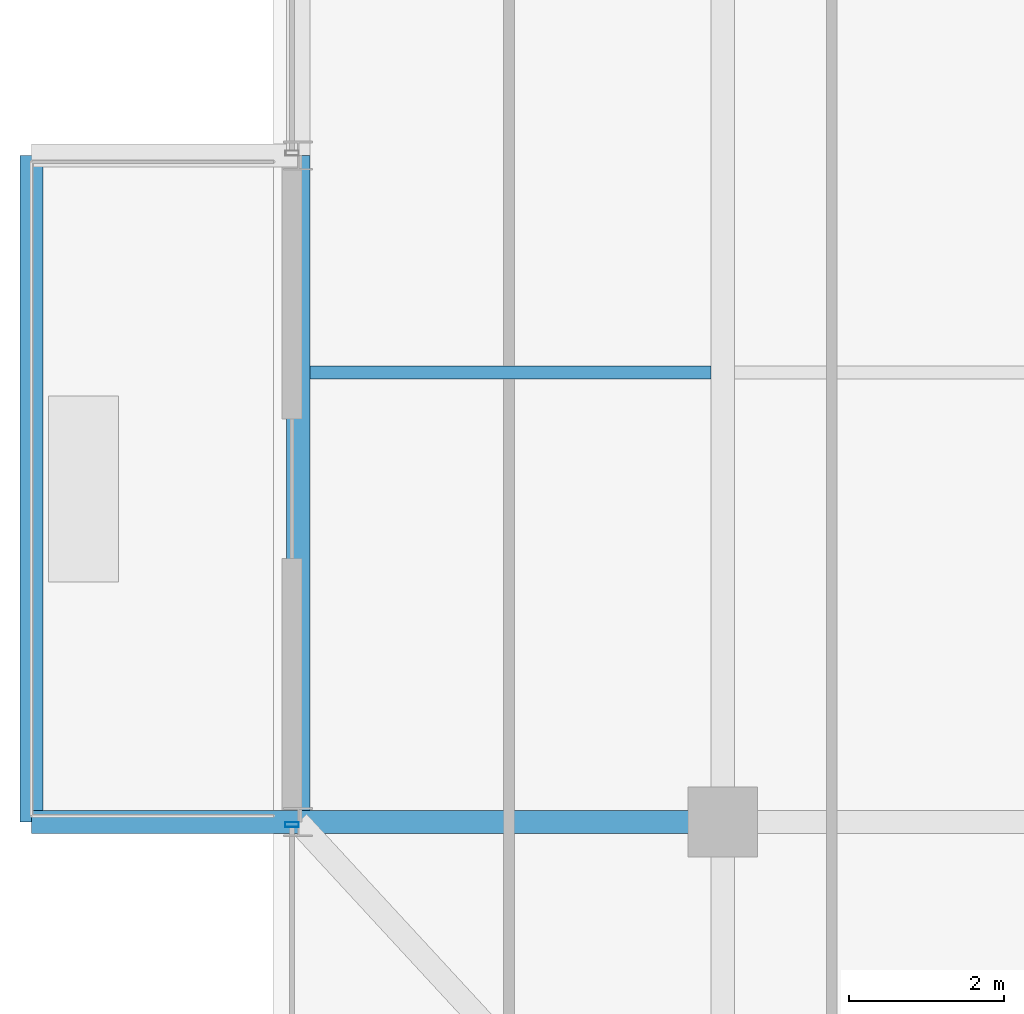
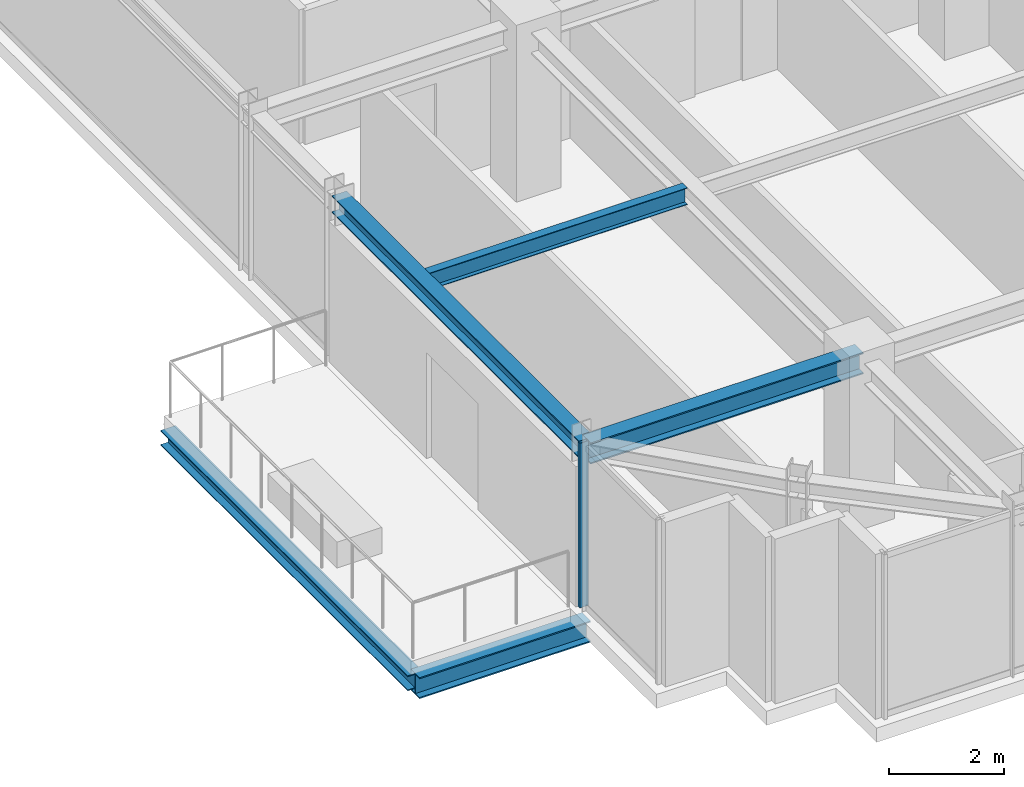
# One storey, part 5 of 31: 5 beams, 1 member, 1 element without a shape of its own.
"""IFC4 building model written with IfcOpenShell, lengths in metres."""

from ifc_helpers import new_model, si_unit, direction, frame, origin, origin_2d, place, context, subcontext, project, spatial, hollow_rectangle, i_section, extrude, source, transform, mapped, material, material_profile, profile_set, type_object, element, aggregate, save


model = new_model("IFC4")

# Units and contexts
model_context = context("Model", 3, precision=1e-05, world=origin(), true_north=direction((0.0, 1.0)))
body_context = subcontext(model_context, "Body", "Model", "MODEL_VIEW")
ifc_project = project(units=[si_unit("LENGTHUNIT", "METRE"), si_unit("AREAUNIT", "SQUARE_METRE"), si_unit("VOLUMEUNIT", "CUBIC_METRE"), si_unit("PLANEANGLEUNIT", "RADIAN"), si_unit("MASSUNIT", "GRAM", prefix="KILO")], contexts=[model_context])

# Site, building, storey
site_placement = place(None, origin())
site = spatial("IfcSite", under=ifc_project, at=site_placement, CompositionType="ELEMENT")
building_placement = place(site_placement, origin())
building = spatial("IfcBuilding", under=site, at=building_placement, Name="Nahalor Promenade Grand Hotel", CompositionType="ELEMENT")
storey_placement = place(building_placement, frame((0.0, 0.0, 323.35009765625)))
storey = spatial("IfcBuildingStorey", under=building, at=storey_placement, Name="L83", CompositionType="ELEMENT", Elevation=323.35009765625)

# Beams
ifc_material_1 = material(Name="Steel S355JR", Category="steel")
ifc_material_profile_1 = material_profile(ifc_material_1, i_section(OverallWidth=0.3, OverallDepth=0.32, WebThickness=0.0115, FlangeThickness=0.0205, at=origin_2d()), Name="HEB 320")
ifc_profile_set_1 = profile_set([ifc_material_profile_1], Name="Steel S355JR")
beam_type_1 = type_object("IfcBeamType", Name="Beam-BalcEdge-HEB320", PredefinedType="SPANDREL", material=ifc_profile_set_1)
shared_shape_1 = source(origin(), body_context, "Body", "SweptSolid", [
    extrude(i_section(OverallWidth=0.3, OverallDepth=0.32, WebThickness=0.0115, FlangeThickness=0.0205, at=origin_2d()), origin(), (0.0, 0.0, 1.0), 8.60009765625),
])
beam_1_placement = place(storey_placement, frame((-25.919921875, -17.0, -0.440185546875), z_axis=(0.0, 1.0, 0.0), x_axis=(-1.0, 0.0, 0.0)))
element("IfcBeam", 1, at=beam_1_placement, inside=storey, type_object=beam_type_1, Name="BM-L83-BC-02-F", PredefinedType="SPANDREL", context=body_context, shape_type="MappedRepresentation", body=[
    mapped(shared_shape_1, transform((0.0, 0.0, 0.0), scale=1.0)),
])
ifc_material_profile_2 = material_profile(ifc_material_1, i_section(OverallWidth=0.3, OverallDepth=0.45, WebThickness=0.014, FlangeThickness=0.026, at=origin_2d()), Name="HEB 450")
ifc_profile_set_2 = profile_set([ifc_material_profile_2], Name="Steel S355JR")
beam_type_2 = type_object("IfcBeamType", Name="Beam-Outrigger-HEB450", PredefinedType="BEAM", material=ifc_profile_set_2)
shared_shape_2 = source(origin(), body_context, "Body", "SweptSolid", [
    extrude(i_section(OverallWidth=0.3, OverallDepth=0.45, WebThickness=0.014, FlangeThickness=0.026, at=origin_2d()), origin(), (0.0, 0.0, 1.0), 3.43994140625),
])
beam_2_placement = place(storey_placement, frame((-25.919921875, -17.0, -0.505126953125), z_axis=(1.0, 0.0, 0.0), x_axis=(0.0, 1.0, 0.0)))
element("IfcBeam", 2, at=beam_2_placement, inside=storey, type_object=beam_type_2, Name="BM-L83-BC-02-1", PredefinedType="BEAM", context=body_context, shape_type="MappedRepresentation", body=[
    mapped(shared_shape_2, transform((0.0, 0.0, 0.0), scale=1.0)),
])
ifc_material_profile_3 = material_profile(ifc_material_1, i_section(OverallWidth=0.3, OverallDepth=0.45, WebThickness=0.014, FlangeThickness=0.026, at=origin_2d()), Name="HEB 450")
ifc_profile_set_3 = profile_set([ifc_material_profile_3], Name="Steel S355JR")
beam_type_3 = type_object("IfcBeamType", Name="Beam-Girder-HEB450", PredefinedType="BEAM", material=ifc_profile_set_3)
shared_shape_3 = source(origin(), body_context, "Body", "SweptSolid", [
    extrude(i_section(OverallWidth=0.3, OverallDepth=0.45, WebThickness=0.014, FlangeThickness=0.026, at=origin_2d()), origin(), (0.0, 0.0, 1.0), 5.47998046875),
])
beam_3_placement = place(storey_placement, frame((-22.47998046875, -17.0, 3.27490234375), z_axis=(1.0, 0.0, 0.0), x_axis=(0.0, 1.0, 0.0)))
element("IfcBeam", 3, at=beam_3_placement, inside=storey, type_object=beam_type_3, Name="BM-L83-GX-0-0", PredefinedType="BEAM", context=body_context, shape_type="MappedRepresentation", body=[
    mapped(shared_shape_3, transform((0.0, 0.0, 0.0), scale=1.0)),
])
ifc_material_profile_4 = material_profile(ifc_material_1, i_section(OverallWidth=0.3, OverallDepth=0.36, WebThickness=0.0125, FlangeThickness=0.0225, at=origin_2d()), Name="HEB 360")
ifc_profile_set_4 = profile_set([ifc_material_profile_4], Name="Steel S355JR")
beam_type_4 = type_object("IfcBeamType", Name="Beam-Spandrel-HEB360", PredefinedType="SPANDREL", material=ifc_profile_set_4)
shared_shape_4 = source(origin(), body_context, "Body", "SweptSolid", [
    extrude(i_section(OverallWidth=0.3, OverallDepth=0.36, WebThickness=0.0125, FlangeThickness=0.0225, at=origin_2d()), origin(), (0.0, 0.0, 1.0), 8.60009765625),
])
beam_4_placement = place(storey_placement, frame((-22.47998046875, -17.0, 3.31982421875), z_axis=(0.0, 1.0, 0.0), x_axis=(-1.0, 0.0, 0.0)))
element("IfcBeam", 4, at=beam_4_placement, inside=storey, type_object=beam_type_4, Name="BM-L83-SP-W-0", PredefinedType="SPANDREL", context=body_context, shape_type="MappedRepresentation", body=[
    mapped(shared_shape_4, transform((0.0, 0.0, 0.0), scale=1.0)),
])
ifc_material_profile_5 = material_profile(ifc_material_1, i_section(OverallWidth=0.17, OverallDepth=0.36, WebThickness=0.008, FlangeThickness=0.0127, at=origin_2d()), Name="IPE 360")
ifc_profile_set_5 = profile_set([ifc_material_profile_5], Name="Steel S355JR")
beam_type_5 = type_object("IfcBeamType", Name="Beam-Joist-IPE360", PredefinedType="JOIST", material=ifc_profile_set_5)
shared_shape_5 = source(origin(), body_context, "Body", "SweptSolid", [
    extrude(i_section(OverallWidth=0.17, OverallDepth=0.36, WebThickness=0.008, FlangeThickness=0.0127, at=origin_2d()), origin(), (0.0, 0.0, 1.0), 5.18017578125),
])
beam_5_placement = place(storey_placement, frame((-22.330078125, -11.199951171875, 3.31982421875), z_axis=(1.0, 0.0, 0.0), x_axis=(0.0, 1.0, 0.0)))
element("IfcBeam", 5, at=beam_5_placement, inside=storey, type_object=beam_type_5, Name="BM-L83-JSW-0-0", PredefinedType="JOIST", context=body_context, shape_type="MappedRepresentation", body=[
    mapped(shared_shape_5, transform((0.0, 0.0, 0.0), scale=1.0)),
])

# Curtain wall, member
ifc_material_2 = material(Name="Anodised Bronze Aluminium EN AW-6063 T6", Category="aluminium")
curtain_wall_type = type_object("IfcCurtainWallType", Name="CW2 Typical Hotel Flush Bronze Unitised Curtain Wall", PredefinedType="USERDEFINED", material=ifc_material_2)
curtain_wall_placement = place(storey_placement, origin())
curtain_wall = element("IfcCurtainWall", 6, at=curtain_wall_placement, inside=storey, type_object=curtain_wall_type, Name="L83 Curtain Wall CW-L83-W-1", ObjectType="UNITISED_CURTAIN_WALL", PredefinedType="USERDEFINED")
ifc_material_profile_6 = material_profile(ifc_material_2, hollow_rectangle(XDim=0.065, YDim=0.18, WallThickness=0.004, at=origin_2d()), Name="CWM 65x180x4")
ifc_profile_set_6 = profile_set([ifc_material_profile_6], Name="Anodised Bronze Aluminium EN AW-6063 T6")
member_type = type_object("IfcMemberType", Name="CWM2 Typical Bronze Mullion 65x180", PredefinedType="MULLION", material=ifc_profile_set_6)
shared_shape_6 = source(origin(), body_context, "Body", "SweptSolid", [
    extrude(hollow_rectangle(XDim=0.065, YDim=0.18, WallThickness=0.004, at=origin_2d()), origin(), (0.0, 0.0, 1.0), 3.5),
])
member_placement = place(storey_placement, frame((-22.56005859375, -17.032470703125, 0.0), z_axis=(0.0, 0.0, 1.0), x_axis=(0.0, 1.0, 0.0)))
member = element("IfcMember", 7, at=member_placement, type_object=member_type, Name="CW-L83-W-1 Mullion 1", PredefinedType="MULLION", context=body_context, shape_type="MappedRepresentation", body=[
    mapped(shared_shape_6, transform((0.0, 0.0, 0.0), scale=1.0)),
])
aggregate(curtain_wall, [member])

save(model, "model.ifc")
